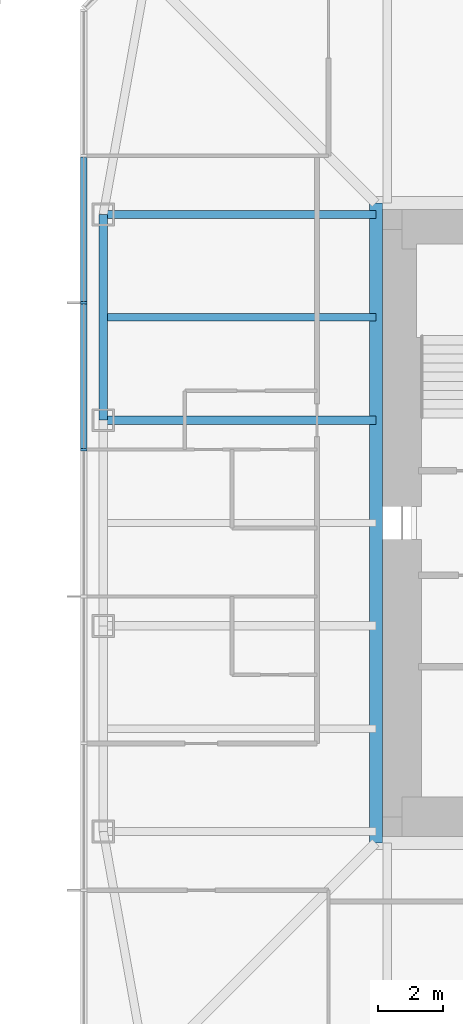
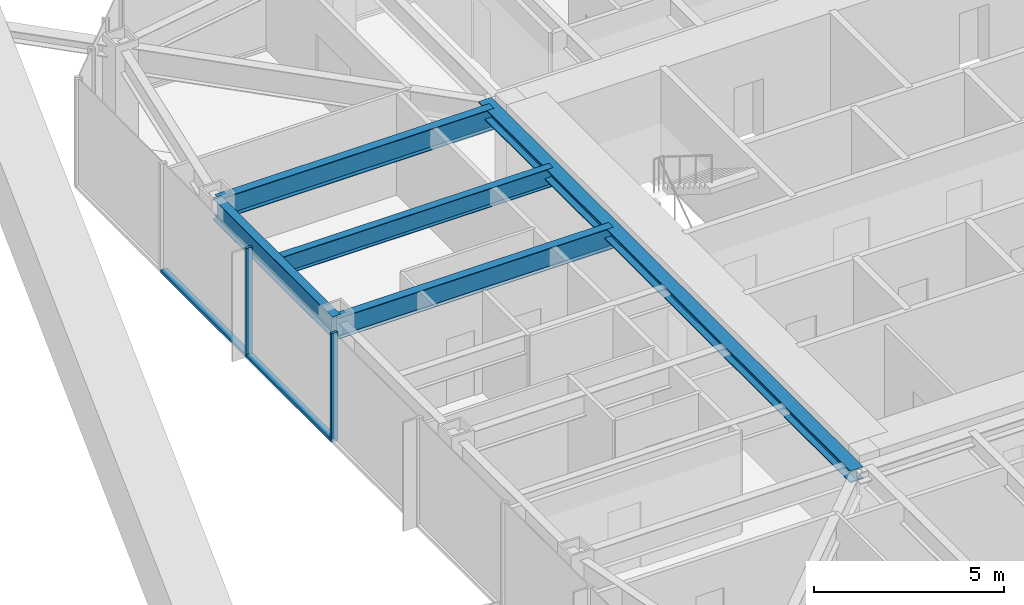
# One storey, part 3 of 13: 5 beams, 4 members, 1 element without a shape of its own.
"""IFC4 building model written with IfcOpenShell, lengths in metres."""

from ifc_helpers import new_model, si_unit, direction, frame, origin, origin_2d, place, context, subcontext, project, spatial, rectangle, i_section, extrude, material, material_profile, profile_set, type_object, element, aggregate, save


model = new_model("IFC4")

# Units and contexts
model_context = context("Model", 3, precision=1e-05, world=origin(), true_north=direction((0.0, 1.0)))
body_context = subcontext(model_context, "Body", "Model", "MODEL_VIEW")
ifc_project = project(units=[si_unit("LENGTHUNIT", "METRE"), si_unit("AREAUNIT", "SQUARE_METRE"), si_unit("VOLUMEUNIT", "CUBIC_METRE"), si_unit("PLANEANGLEUNIT", "RADIAN"), si_unit("MASSUNIT", "GRAM", prefix="KILO")], contexts=[model_context])

# Site, building, storey
site_placement = place(None, origin())
site = spatial("IfcSite", under=ifc_project, at=site_placement, CompositionType="ELEMENT")
building_placement = place(site_placement, origin())
building = spatial("IfcBuilding", under=site, at=building_placement, Name="Iwan Alto Co-Living Towers", CompositionType="ELEMENT")
storey_placement = place(building_placement, frame((0.0, 0.0, 167.0)))
storey = spatial("IfcBuildingStorey", under=building, at=storey_placement, Name="L45", CompositionType="ELEMENT", Elevation=167.0)

# Curtain wall, members
ifc_material_1 = material(Name="Bronze aluminium unitised frame", Category="aluminium")
curtain_wall_type = type_object("IfcCurtainWallType", Name="CURTAIN WALL CW-A", PredefinedType="NOTDEFINED", material=ifc_material_1)
curtain_wall_placement = place(storey_placement, origin())
curtain_wall = element("IfcCurtainWall", 1, at=curtain_wall_placement, inside=storey, type_object=curtain_wall_type, Name="T1 curtain wall W L45", PredefinedType="NOTDEFINED")
ifc_material_2 = material(Name="Aluminium 6063-T6 bronze anodised", Category="aluminium")
ifc_material_profile_1 = material_profile(ifc_material_2, rectangle(XDim=0.199951171875, YDim=0.080078125, at=origin_2d()), Name="AL 80X200")
ifc_profile_set_1 = profile_set([ifc_material_profile_1], Name="Aluminium 6063-T6 bronze anodised")
member_type_1 = type_object("IfcMemberType", Name="CW-A MULLION 80X200", PredefinedType="MULLION", material=ifc_profile_set_1)
member_1_placement = place(storey_placement, frame((-18.75, 6.75, 0.0), z_axis=(0.0, 0.0, 1.0), x_axis=(1.0, 0.0, 0.0)))
member_1 = element("IfcMember", 2, at=member_1_placement, type_object=member_type_1, Name="CW-A mullion 3", PredefinedType="MULLION", context=body_context, shape_type="SweptSolid", body=[
    extrude(rectangle(XDim=0.199951171875, YDim=0.080078125, at=origin_2d()), origin(), (0.0, 0.0, 1.0), 3.5),
])
member_2_placement = place(storey_placement, frame((-18.75, 2.25, 0.0), z_axis=(0.0, 0.0, 1.0), x_axis=(1.0, 0.0, 0.0)))
member_2 = element("IfcMember", 3, at=member_2_placement, type_object=member_type_1, Name="CW-A mullion 4", PredefinedType="MULLION", context=body_context, shape_type="SweptSolid", body=[
    extrude(rectangle(XDim=0.199951171875, YDim=0.080078125, at=origin_2d()), origin(), (0.0, 0.0, 1.0), 3.5),
])
ifc_material_3 = material(Name="Aluminium 6063-T6 bronze anodised", Category="aluminium")
ifc_material_profile_2 = material_profile(ifc_material_3, rectangle(XDim=0.199951171875, YDim=0.10009765625, at=origin_2d()), Name="AL 200X100")
ifc_profile_set_2 = profile_set([ifc_material_profile_2], Name="Aluminium 6063-T6 bronze anodised")
member_type_2 = type_object("IfcMemberType", Name="CW-A TRANSOM 200X100", PredefinedType="USERDEFINED", material=ifc_profile_set_2)
member_3_placement = place(storey_placement, frame((-18.75, 11.2099609375, 0.050048828125), z_axis=(0.0, -1.0, 0.0), x_axis=(1.0, 0.0, 0.0)))
member_3 = element("IfcMember", 4, at=member_3_placement, type_object=member_type_2, Name="CW-A transom 2.1", ObjectType="TRANSOM", PredefinedType="USERDEFINED", context=body_context, shape_type="SweptSolid", body=[
    extrude(rectangle(XDim=0.199951171875, YDim=0.10009765625, at=origin_2d()), origin(), (0.0, 0.0, 1.0), 4.419921875),
])
member_4_placement = place(storey_placement, frame((-18.75, 6.7099609375, 0.050048828125), z_axis=(0.0, -1.0, 0.0), x_axis=(1.0, 0.0, 0.0)))
member_4 = element("IfcMember", 5, at=member_4_placement, type_object=member_type_2, Name="CW-A transom 3.1", ObjectType="TRANSOM", PredefinedType="USERDEFINED", context=body_context, shape_type="SweptSolid", body=[
    extrude(rectangle(XDim=0.199951171875, YDim=0.10009765625, at=origin_2d()), origin(), (0.0, 0.0, 1.0), 4.419921875),
])
aggregate(curtain_wall, [member_1, member_2, member_3, member_4])

# Beams
ifc_material_4 = material(Name="Steel ASTM A992 Gr 50", Category="steel")
ifc_material_profile_3 = material_profile(ifc_material_4, i_section(OverallWidth=0.398681640625, OverallDepth=0.385986328125, WebThickness=0.02099609375, FlangeThickness=0.033203125, at=origin_2d()), Name="W14X176")
ifc_profile_set_3 = profile_set([ifc_material_profile_3], Name="Steel ASTM A992 Gr 50")
beam_type_1 = type_object("IfcBeamType", Name="T1 CORE LEDGER BEAM W14X176", PredefinedType="BEAM", material=ifc_profile_set_3)
beam_1_placement = place(storey_placement, frame((-9.79931640625, 9.79931640625, 3.076904296875), z_axis=(0.0, -1.0, 0.0), x_axis=(1.0, 0.0, 0.0)))
element("IfcBeam", 6, at=beam_1_placement, inside=storey, type_object=beam_type_1, Name="T1 core ledger beam W L46", PredefinedType="BEAM", context=body_context, shape_type="SweptSolid", body=[
    extrude(i_section(OverallWidth=0.398681640625, OverallDepth=0.385986328125, WebThickness=0.02099609375, FlangeThickness=0.033203125, at=origin_2d()), origin(), (0.0, 0.0, 1.0), 19.5986328125),
])
ifc_material_5 = material(Name="Steel ASTM A992 Gr 50", Category="steel")
ifc_material_profile_4 = material_profile(ifc_material_5, i_section(OverallWidth=0.25390625, OverallDepth=0.683349609375, WebThickness=0.012451171875, FlangeThickness=0.018798828125, at=origin_2d()), Name="W27X94")
ifc_profile_set_4 = profile_set([ifc_material_profile_4], Name="Steel ASTM A992 Gr 50")
beam_type_2 = type_object("IfcBeamType", Name="T1 EDGE BEAM W27X94", PredefinedType="BEAM", material=ifc_profile_set_4)
beam_2_placement = place(storey_placement, frame((-18.14990234375, 9.449951171875, 2.928466796875), z_axis=(0.0, -1.0, 0.0), x_axis=(1.0, 0.0, 0.0)))
element("IfcBeam", 7, at=beam_2_placement, inside=storey, type_object=beam_type_2, Name="T1 edge beam W1 L46", PredefinedType="BEAM", context=body_context, shape_type="SweptSolid", body=[
    extrude(i_section(OverallWidth=0.25390625, OverallDepth=0.683349609375, WebThickness=0.012451171875, FlangeThickness=0.018798828125, at=origin_2d()), origin(), (0.0, 0.0, 1.0), 6.300048828125),
])
ifc_material_6 = material(Name="Steel ASTM A992 Gr 50", Category="steel")
ifc_material_profile_5 = material_profile(ifc_material_6, i_section(OverallWidth=0.25390625, OverallDepth=0.683349609375, WebThickness=0.012451171875, FlangeThickness=0.018798828125, at=origin_2d()), Name="W27X94")
ifc_profile_set_5 = profile_set([ifc_material_profile_5], Name="Steel ASTM A992 Gr 50")
beam_type_3 = type_object("IfcBeamType", Name="T1 RADIAL BEAM W27X94", PredefinedType="BEAM", material=ifc_profile_set_5)
for number, where, z_axis, x_axis, name in (
    (8, (-18.14990234375, 9.449951171875, 2.928466796875), (1.0, 0.0, 0.0), (0.0, 1.0, 0.0), "T1 radial beam W1 L46"),
    (9, (-18.14990234375, 3.14990234375, 2.928466796875), (1.0, 0.0, 0.0), (0.0, 1.0, 0.0), "T1 radial beam W2 L46"),
):
    element("IfcBeam", number, at=place(storey_placement, frame(where, z_axis=z_axis, x_axis=x_axis)), inside=storey, type_object=beam_type_3, Name=name, PredefinedType="BEAM", context=body_context, shape_type="SweptSolid", body=[
        extrude(i_section(OverallWidth=0.25390625, OverallDepth=0.683349609375, WebThickness=0.012451171875, FlangeThickness=0.018798828125, at=origin_2d()), origin(), (0.0, 0.0, 1.0), 8.3505859375),
    ])
ifc_material_7 = material(Name="Steel ASTM A992 Gr 50", Category="steel")
ifc_material_profile_6 = material_profile(ifc_material_7, i_section(OverallWidth=0.228271484375, OverallDepth=0.607177734375, WebThickness=0.01123046875, FlangeThickness=0.017333984375, at=origin_2d()), Name="W24X76")
ifc_profile_set_6 = profile_set([ifc_material_profile_6], Name="Steel ASTM A992 Gr 50")
beam_type_4 = type_object("IfcBeamType", Name="T1 SECONDARY BEAM W24X76", PredefinedType="JOIST", material=ifc_profile_set_6)
beam_3_placement = place(storey_placement, frame((-18.14990234375, 6.300048828125, 2.966552734375), z_axis=(1.0, 0.0, 0.0), x_axis=(0.0, 1.0, 0.0)))
element("IfcBeam", 10, at=beam_3_placement, inside=storey, type_object=beam_type_4, Name="T1 secondary beam W1 L46", PredefinedType="JOIST", context=body_context, shape_type="SweptSolid", body=[
    extrude(i_section(OverallWidth=0.228271484375, OverallDepth=0.607177734375, WebThickness=0.01123046875, FlangeThickness=0.017333984375, at=origin_2d()), origin(), (0.0, 0.0, 1.0), 8.3505859375),
])

save(model, "model.ifc")
